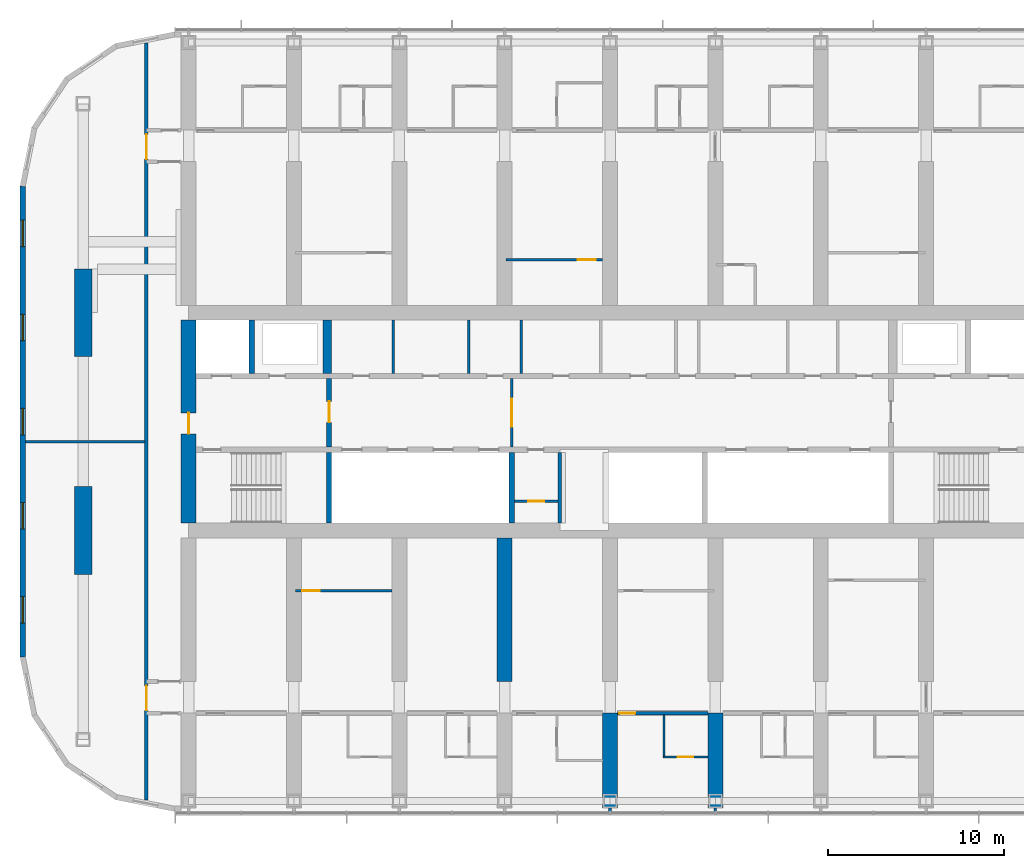
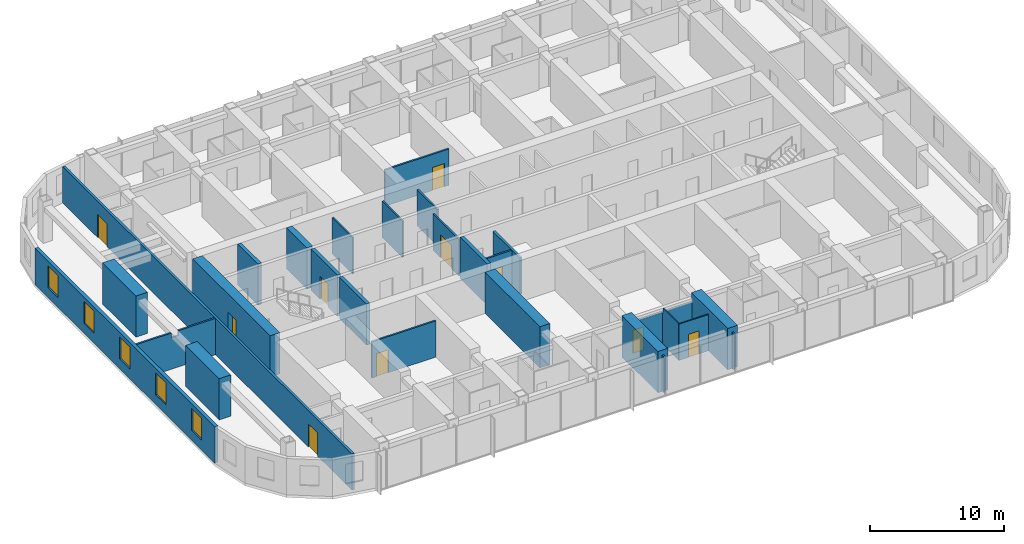
# One storey, part 11 of 22: 27 walls, 10 doors, 5 windows, 15 openings.
"""IFC4 building model written with IfcOpenShell, lengths in metres."""

from ifc_helpers import new_model, si_unit, direction, frame, frame_2d, origin, place, context, subcontext, project, spatial, polyline, rectangle, outline, extrude, material, layer, layer_set, type_object, element, fill, save


model = new_model("IFC4")

# Units and contexts
model_context = context("Model", 3, precision=1e-05, world=origin(), true_north=direction((0.0, 1.0)))
body_context = subcontext(model_context, "Body", "Model", "MODEL_VIEW")
ifc_project = project(units=[si_unit("LENGTHUNIT", "METRE"), si_unit("AREAUNIT", "SQUARE_METRE"), si_unit("VOLUMEUNIT", "CUBIC_METRE"), si_unit("PLANEANGLEUNIT", "RADIAN"), si_unit("MASSUNIT", "GRAM", prefix="KILO")], contexts=[model_context])

# Site, building, storey
site_placement = place(None, origin())
site = spatial("IfcSite", under=ifc_project, at=site_placement, CompositionType="ELEMENT")
building_placement = place(site_placement, origin())
building = spatial("IfcBuilding", under=site, at=building_placement, Name="Orbita Commons", CompositionType="ELEMENT")
storey_placement = place(building_placement, frame((0.0, 0.0, 144.85009765625)))
storey = spatial("IfcBuildingStorey", under=building, at=storey_placement, Name="L35", CompositionType="ELEMENT", Elevation=144.85009765625)

# Wall
ifc_material_1 = material(Name="Concrete C50/60", Category="concrete")
ifc_layer_1 = layer(ifc_material_1, 0.300048828125)
ifc_layer_set_1 = layer_set([ifc_layer_1], Name="Concrete C50/60")
wall_type_1 = type_object("IfcWallType", Name="Core inner wall 300 C50/60", PredefinedType="SHEAR", material=ifc_layer_set_1)
wall_1_placement = place(storey_placement, frame((26.0, 26.22509765625, 0.0), z_axis=(0.0, 0.0, 1.0), x_axis=(0.0, 1.0, 0.0)))
element("IfcWall", 1, at=wall_1_placement, inside=storey, type_object=wall_type_1, Name="Stair S1 wall L35", PredefinedType="SHEAR", context=body_context, shape_type="SweptSolid", body=[
    extrude(rectangle(XDim=4.02490234375, YDim=0.300048828125, at=frame_2d((2.012451171875, 0.0))), origin(), (0.0, 0.0, 1.0), 3.75),
])

# Wall, opening, door
wall_2_placement = place(storey_placement, frame((26.0, 30.550048828125, 0.0), z_axis=(0.0, 0.0, 1.0), x_axis=(0.0, 1.0, 0.0)))
wall_2 = element("IfcWall", 2, at=wall_2_placement, inside=storey, type_object=wall_type_1, Name="Firefighting lobby wall west L35", PredefinedType="SHEAR", context=body_context, shape_type="SweptSolid", body=[
    extrude(rectangle(XDim=3.89990234375, YDim=0.300048828125, at=frame_2d((1.949951171875, 0.0))), origin(), (0.0, 0.0, 1.0), 3.75),
])
opening_1_placement = place(wall_2_placement, frame((1.39990234375, 0.0, 0.0)))
opening_1 = element("IfcOpeningElement", 3, at=opening_1_placement, cuts=wall_2, Name="Opening D04", PredefinedType="OPENING", context=body_context, shape_type="SweptSolid", body=[
    extrude(rectangle(XDim=1.199951171875, YDim=2.10009765625, at=frame_2d((0.60009765625, 1.050048828125))), frame((0.0, 0.159912109375, 0.0), z_axis=(0.0, -1.0, 0.0), x_axis=(1.0, 0.0, 0.0)), (0.0, 0.0, 1.0), 0.320068359375),
])
ifc_material_2 = material(Name="Steel-faced fire door leaf", Category="steel")
door_type_1 = type_object("IfcDoorType", Name="Service door 20 min 1200x2100", OperationType="SINGLE_SWING_LEFT", PredefinedType="DOOR", material=ifc_material_2)
door_1_placement = place(opening_1_placement, origin())
door_1 = element("IfcDoor", 4, at=door_1_placement, inside=storey, type_object=door_type_1, Name="Lift lobby door west", OperationType="SINGLE_SWING_LEFT", OverallHeight=2.10009765625, OverallWidth=1.199951171875, PredefinedType="DOOR", context=body_context, shape_type="SweptSolid", body=[
    extrude(rectangle(XDim=1.199951171875, YDim=2.10009765625, at=frame_2d((0.60009765625, 1.050048828125))), frame((0.0, 0.02490234375, 0.0), z_axis=(0.0, -1.0, 0.0), x_axis=(1.0, 0.0, 0.0)), (0.0, 0.0, 1.0), 0.050048828125),
])
fill(opening_1, door_1)

# Walls
wall_3_placement = place(storey_placement, frame((21.60009765625, 34.75, 0.0), z_axis=(0.0, 0.0, 1.0), x_axis=(0.0, 1.0, 0.0)))
element("IfcWall", 5, at=wall_3_placement, inside=storey, type_object=wall_type_1, Name="Firefighting lift FL1 shaft wall L35", PredefinedType="SHEAR", context=body_context, shape_type="SweptSolid", body=[
    extrude(rectangle(XDim=3.02490234375, YDim=0.300048828125, at=frame_2d((1.512451171875, 0.0))), origin(), (0.0, 0.0, 1.0), 3.75),
])
wall_4_placement = place(storey_placement, frame((36.39990234375, 26.22509765625, 0.0), z_axis=(0.0, 0.0, 1.0), x_axis=(0.0, 1.0, 0.0)))
element("IfcWall", 6, at=wall_4_placement, inside=storey, type_object=wall_type_1, Name="Hoistway division wall L35", PredefinedType="SHEAR", context=body_context, shape_type="SweptSolid", body=[
    extrude(rectangle(XDim=4.02490234375, YDim=0.300048828125, at=frame_2d((2.012451171875, 0.0))), origin(), (0.0, 0.0, 1.0), 3.75),
])
ifc_material_3 = material(Name="Concrete C50/60", Category="concrete")
ifc_layer_2 = layer(ifc_material_3, 0.5)
ifc_layer_set_2 = layer_set([ifc_layer_2], Name="Concrete C50/60")
wall_type_2 = type_object("IfcWallType", Name="Core inner wall 500 C50/60", PredefinedType="SHEAR", material=ifc_layer_set_2)
wall_5_placement = place(storey_placement, frame((25.89990234375, 34.75, 0.0), z_axis=(0.0, 0.0, 1.0), x_axis=(0.0, 1.0, 0.0)))
element("IfcWall", 7, at=wall_5_placement, inside=storey, type_object=wall_type_2, Name="Riser wall west L35", PredefinedType="SHEAR", context=body_context, shape_type="SweptSolid", body=[
    extrude(rectangle(XDim=3.02490234375, YDim=0.5, at=frame_2d((1.512451171875, 0.0))), origin(), (0.0, 0.0, 1.0), 3.75),
])

# Wall, opening, door
ifc_material_4 = material(Name="Concrete blockwork", Category="masonry")
ifc_layer_3 = layer(ifc_material_4, 0.14990234375)
ifc_layer_set_3 = layer_set([ifc_layer_3], Name="Concrete blockwork")
wall_type_3 = type_object("IfcWallType", Name="Core partition 150 blockwork", PredefinedType="SOLIDWALL", material=ifc_layer_set_3)
wall_6_placement = place(storey_placement, frame((36.39990234375, 30.550048828125, 0.0), z_axis=(0.0, 0.0, 1.0), x_axis=(0.0, 1.0, 0.0)))
wall_6 = element("IfcWall", 8, at=wall_6_placement, inside=storey, type_object=wall_type_3, Name="Core partition 150 blockwork L35", PredefinedType="SOLIDWALL", context=body_context, shape_type="SweptSolid", body=[
    extrude(rectangle(XDim=3.89990234375, YDim=0.14990234375, at=frame_2d((1.949951171875, 0.0))), origin(), (0.0, 0.0, 1.0), 3.2998046875),
])
opening_2_placement = place(wall_6_placement, frame((1.14990234375, 0.0, 0.0)))
opening_2 = element("IfcOpeningElement", 9, at=opening_2_placement, cuts=wall_6, Name="Opening D10", PredefinedType="OPENING", context=body_context, shape_type="SweptSolid", body=[
    extrude(rectangle(XDim=1.60009765625, YDim=2.10009765625, at=frame_2d((0.800048828125, 1.050048828125))), frame((0.0, 0.0849609375, 0.0), z_axis=(0.0, -1.0, 0.0), x_axis=(1.0, 0.0, 0.0)), (0.0, 0.0, 1.0), 0.169921875),
])
ifc_material_5 = material(Name="Steel-faced fire door leaf", Category="steel")
door_type_2 = type_object("IfcDoorType", Name="Double corridor door 20 min 1600x2100", OperationType="DOUBLE_DOOR_SINGLE_SWING", PredefinedType="DOOR", material=ifc_material_5)
door_2_placement = place(opening_2_placement, origin())
door_2 = element("IfcDoor", 10, at=door_2_placement, inside=storey, type_object=door_type_2, Name="Lift lobby screen doors", OperationType="DOUBLE_DOOR_SINGLE_SWING", OverallHeight=2.10009765625, OverallWidth=1.60009765625, PredefinedType="DOOR", context=body_context, shape_type="SweptSolid", body=[
    extrude(rectangle(XDim=1.60009765625, YDim=2.10009765625, at=frame_2d((0.800048828125, 1.050048828125))), frame((0.0, 0.02490234375, 0.0), z_axis=(0.0, -1.0, 0.0), x_axis=(1.0, 0.0, 0.0)), (0.0, 0.0, 1.0), 0.050048828125),
])
fill(opening_2, door_2)

# Walls
for number, where, z_axis, x_axis, name in (
    (11, (29.65087890625, 34.75, 0.0), (0.0, 0.0, 1.0), (0.0, 1.0, 0.0), "Core partition 150 blockwork L35"),
    (12, (33.9462890625, 34.75, 0.0), (0.0, 0.0, 1.0), (0.0, 1.0, 0.0), "Core partition 150 blockwork L35"),
    (13, (36.9462890625, 34.75, 0.0), (0.0, 0.0, 1.0), (0.0, 1.0, 0.0), "Core partition 150 blockwork L35"),
):
    element("IfcWall", number, at=place(storey_placement, frame(where, z_axis=z_axis, x_axis=x_axis)), inside=storey, type_object=wall_type_3, Name=name, PredefinedType="SOLIDWALL", context=body_context, shape_type="SweptSolid", body=[
        extrude(rectangle(XDim=3.02490234375, YDim=0.14990234375, at=frame_2d((1.512451171875, 0.0))), origin(), (0.0, 0.0, 1.0), 3.2998046875),
    ])

# Wall, opening, door
wall_7_placement = place(storey_placement, frame((36.550048828125, 27.47509765625, 0.0), z_axis=(0.0, 0.0, 1.0), x_axis=(1.0, 0.0, 0.0)))
wall_7 = element("IfcWall", 14, at=wall_7_placement, inside=storey, type_object=wall_type_3, Name="Core partition 150 blockwork L35", PredefinedType="SOLIDWALL", context=body_context, shape_type="SweptSolid", body=[
    extrude(rectangle(XDim=2.5, YDim=0.14990234375, at=frame_2d((1.25, 0.0))), origin(), (0.0, 0.0, 1.0), 3.2998046875),
])
opening_3_placement = place(wall_7_placement, frame((0.800048828125, 0.0, 0.0)))
opening_3 = element("IfcOpeningElement", 15, at=opening_3_placement, cuts=wall_7, Name="Opening D05", PredefinedType="OPENING", context=body_context, shape_type="SweptSolid", body=[
    extrude(rectangle(XDim=0.89990234375, YDim=2.10009765625, at=frame_2d((0.449951171875, 1.050048828125))), frame((0.0, 0.0849609375, 0.0), z_axis=(0.0, -1.0, 0.0), x_axis=(1.0, 0.0, 0.0)), (0.0, 0.0, 1.0), 0.169921875),
])
ifc_material_6 = material(Name="Steel-faced fire door leaf", Category="steel")
door_type_3 = type_object("IfcDoorType", Name="Service door 20 min 900x2100", OperationType="SINGLE_SWING_LEFT", PredefinedType="DOOR", material=ifc_material_6)
door_3_placement = place(opening_3_placement, origin())
door_3 = element("IfcDoor", 16, at=door_3_placement, inside=storey, type_object=door_type_3, Name="Cupboard door off Staff WC", OperationType="SINGLE_SWING_LEFT", OverallHeight=2.10009765625, OverallWidth=0.89990234375, PredefinedType="DOOR", context=body_context, shape_type="SweptSolid", body=[
    extrude(rectangle(XDim=0.89990234375, YDim=2.10009765625, at=frame_2d((0.449951171875, 1.050048828125))), frame((0.0, 0.02490234375, 0.0), z_axis=(0.0, -1.0, 0.0), x_axis=(1.0, 0.0, 0.0)), (0.0, 0.0, 1.0), 0.050048828125),
])
fill(opening_3, door_3)

ifc_material_7 = material(Name="Concrete C50/60", Category="concrete")
ifc_layer_4 = layer(ifc_material_7, 0.85009765625)
ifc_layer_set_4 = layer_set([ifc_layer_4], Name="Concrete C50/60")
wall_type_4 = type_object("IfcWallType", Name="Core wall 850 C50/60", PredefinedType="SHEAR", material=ifc_layer_set_4)
wall_8_placement = place(storey_placement, frame((18.0, 26.22509765625, 0.0), z_axis=(0.0, 0.0, 1.0), x_axis=(0.0, 1.0, 0.0)))
wall_8 = element("IfcWall", 17, at=wall_8_placement, inside=storey, type_object=wall_type_4, Name="Core end wall west L35", PredefinedType="SHEAR", context=body_context, shape_type="SweptSolid", body=[
    extrude(rectangle(XDim=11.5498046875, YDim=0.85009765625, at=frame_2d((5.77490234375, 0.0))), origin(), (0.0, 0.0, 1.0), 3.75),
])
opening_4_placement = place(wall_8_placement, frame((5.074951171875, 0.0, 0.0)))
opening_4 = element("IfcOpeningElement", 18, at=opening_4_placement, cuts=wall_8, Name="Opening D01", PredefinedType="OPENING", context=body_context, shape_type="SweptSolid", body=[
    extrude(rectangle(XDim=1.199951171875, YDim=2.10009765625, at=frame_2d((0.60009765625, 1.050048828125))), frame((0.0, 0.43505859375, 0.0), z_axis=(0.0, -1.0, 0.0), x_axis=(1.0, 0.0, 0.0)), (0.0, 0.0, 1.0), 0.8701171875),
])
ifc_material_8 = material(Name="Steel-faced fire door leaf", Category="steel")
door_type_4 = type_object("IfcDoorType", Name="Fire door 90 min 1200x2100", OperationType="SINGLE_SWING_LEFT", PredefinedType="DOOR", material=ifc_material_8)
door_4_placement = place(opening_4_placement, origin())
door_4 = element("IfcDoor", 19, at=door_4_placement, inside=storey, type_object=door_type_4, Name="Firefighting lobby west door", OperationType="SINGLE_SWING_LEFT", OverallHeight=2.10009765625, OverallWidth=1.199951171875, PredefinedType="DOOR", context=body_context, shape_type="SweptSolid", body=[
    extrude(rectangle(XDim=1.199951171875, YDim=2.10009765625, at=frame_2d((0.60009765625, 1.050048828125))), frame((0.0, 0.02490234375, 0.0), z_axis=(0.0, -1.0, 0.0), x_axis=(1.0, 0.0, 0.0)), (0.0, 0.0, 1.0), 0.050048828125),
])
fill(opening_4, door_4)

ifc_material_9 = material(Name="Concrete blockwork", Category="masonry")
ifc_layer_5 = layer(ifc_material_9, 0.199951171875)
ifc_layer_set_5 = layer_set([ifc_layer_5], Name="Concrete blockwork")
wall_type_5 = type_object("IfcWallType", Name="Corridor wall 200 blockwork", PredefinedType="SOLIDWALL", material=ifc_layer_set_5)
wall_9_placement = place(storey_placement, frame((42.425048828125, 15.39990234375, 0.0), z_axis=(0.0, 0.0, 1.0), x_axis=(1.0, 0.0, 0.0)))
wall_9 = element("IfcWall", 20, at=wall_9_placement, inside=storey, type_object=wall_type_5, Name="Corridor wall 200 blockwork L35", PredefinedType="SOLIDWALL", context=body_context, shape_type="SweptSolid", body=[
    extrude(outline(polyline([(0.0, 0.0), (5.14990234375, 0.0), (5.14990234375, 2.89990234375), (0.0, 2.89990234375), (0.0, 0.0)])), frame((0.0, 0.10009765625, 0.0), z_axis=(0.0, -1.0, 0.0), x_axis=(1.0, 0.0, 0.0)), (0.0, 0.0, 1.0), 0.199951171875),
])
opening_5_placement = place(wall_9_placement, frame((0.10009765625, 0.0, 0.0)))
opening_5 = element("IfcOpeningElement", 21, at=opening_5_placement, cuts=wall_9, Name="Opening D11", PredefinedType="OPENING", context=body_context, shape_type="SweptSolid", body=[
    extrude(rectangle(XDim=0.89990234375, YDim=2.10009765625, at=frame_2d((0.449951171875, 1.050048828125))), frame((0.0, 0.10986328125, 0.0), z_axis=(0.0, -1.0, 0.0), x_axis=(1.0, 0.0, 0.0)), (0.0, 0.0, 1.0), 0.219970703125),
])
ifc_material_10 = material(Name="Steel-faced fire door leaf", Category="steel")
door_type_5 = type_object("IfcDoorType", Name="Corridor door 20 min 900x2100", OperationType="SINGLE_SWING_LEFT", PredefinedType="DOOR", material=ifc_material_10)
door_5_placement = place(opening_5_placement, origin())
door_5 = element("IfcDoor", 22, at=door_5_placement, inside=storey, type_object=door_type_5, Name="Twin room L35-S08 door", OperationType="SINGLE_SWING_LEFT", OverallHeight=2.10009765625, OverallWidth=0.89990234375, PredefinedType="DOOR", context=body_context, shape_type="SweptSolid", body=[
    extrude(rectangle(XDim=0.89990234375, YDim=2.10009765625, at=frame_2d((0.449951171875, 1.050048828125))), frame((0.0, 0.02490234375, 0.0), z_axis=(0.0, -1.0, 0.0), x_axis=(1.0, 0.0, 0.0)), (0.0, 0.0, 1.0), 0.050048828125),
])
fill(opening_5, door_5)

# Wall, openings, doors
wall_10_placement = place(storey_placement, frame((15.60009765625, 10.4462890625, 0.0), z_axis=(0.0, 0.0, 1.0), x_axis=(0.0, 1.0, 0.0)))
wall_10 = element("IfcWall", 23, at=wall_10_placement, inside=storey, type_object=wall_type_5, Name="Corridor wall 200 blockwork L35", PredefinedType="SOLIDWALL", context=body_context, shape_type="SweptSolid", body=[
    extrude(rectangle(XDim=43.107421875, YDim=0.199951171875, at=frame_2d((21.5537109375, 0.0))), origin(), (0.0, 0.0, 1.0), 3.2998046875),
])
opening_6_placement = place(wall_10_placement, frame((5.103759765625, 0.0, 0.0)))
opening_6 = element("IfcOpeningElement", 24, at=opening_6_placement, cuts=wall_10, Name="Opening D08", PredefinedType="OPENING", context=body_context, shape_type="SweptSolid", body=[
    extrude(rectangle(XDim=1.39990234375, YDim=2.10009765625, at=frame_2d((0.699951171875, 1.050048828125))), frame((0.0, 0.10986328125, 0.0), z_axis=(0.0, -1.0, 0.0), x_axis=(1.0, 0.0, 0.0)), (0.0, 0.0, 1.0), 0.219970703125),
])
opening_7_placement = place(wall_10_placement, frame((36.50390625, 0.0, 0.0)))
opening_7 = element("IfcOpeningElement", 25, at=opening_7_placement, cuts=wall_10, Name="Opening D08", PredefinedType="OPENING", context=body_context, shape_type="SweptSolid", body=[
    extrude(rectangle(XDim=1.39990234375, YDim=2.10009765625, at=frame_2d((0.699951171875, 1.050048828125))), frame((0.0, 0.10986328125, 0.0), z_axis=(0.0, -1.0, 0.0), x_axis=(1.0, 0.0, 0.0)), (0.0, 0.0, 1.0), 0.219970703125),
])
ifc_material_11 = material(Name="Steel-faced fire door leaf", Category="steel")
door_type_6 = type_object("IfcDoorType", Name="Double corridor door 20 min 1400x2100", OperationType="DOUBLE_DOOR_SINGLE_SWING", PredefinedType="DOOR", material=ifc_material_11)
door_6_placement = place(opening_6_placement, origin())
door_6 = element("IfcDoor", 26, at=door_6_placement, inside=storey, type_object=door_type_6, Name="Lounge doors", OperationType="DOUBLE_DOOR_SINGLE_SWING", OverallHeight=2.10009765625, OverallWidth=1.39990234375, PredefinedType="DOOR", context=body_context, shape_type="SweptSolid", body=[
    extrude(rectangle(XDim=1.39990234375, YDim=2.10009765625, at=frame_2d((0.699951171875, 1.050048828125))), frame((0.0, 0.02490234375, 0.0), z_axis=(0.0, -1.0, 0.0), x_axis=(1.0, 0.0, 0.0)), (0.0, 0.0, 1.0), 0.050048828125),
])
fill(opening_6, door_6)
door_7_placement = place(opening_7_placement, origin())
door_7 = element("IfcDoor", 27, at=door_7_placement, inside=storey, type_object=door_type_6, Name="Lounge doors", OperationType="DOUBLE_DOOR_SINGLE_SWING", OverallHeight=2.10009765625, OverallWidth=1.39990234375, PredefinedType="DOOR", context=body_context, shape_type="SweptSolid", body=[
    extrude(rectangle(XDim=1.39990234375, YDim=2.10009765625, at=frame_2d((0.699951171875, 1.050048828125))), frame((0.0, 0.02490234375, 0.0), z_axis=(0.0, -1.0, 0.0), x_axis=(1.0, 0.0, 0.0)), (0.0, 0.0, 1.0), 0.050048828125),
])
fill(opening_7, door_7)

# Walls
ifc_material_12 = material(Name="Concrete C50/60", Category="concrete")
ifc_layer_6 = layer(ifc_material_12, 0.85009765625)
ifc_layer_set_6 = layer_set([ifc_layer_6], Name="Concrete C50/60")
wall_type_6 = type_object("IfcWallType", Name="Cross wall 850 C50/60", PredefinedType="SHEAR", material=ifc_layer_set_6)
wall_11_placement = place(storey_placement, frame((36.0, 17.199951171875, 0.0), z_axis=(0.0, 0.0, 1.0), x_axis=(0.0, 1.0, 0.0)))
element("IfcWall", 28, at=wall_11_placement, inside=storey, type_object=wall_type_6, Name="Cross wall 7 south inner L35", PredefinedType="SHEAR", context=body_context, shape_type="SweptSolid", body=[
    extrude(rectangle(XDim=8.175048828125, YDim=0.85009765625, at=frame_2d((4.08740234375, 0.0))), origin(), (0.0, 0.0, 1.0), 3.75),
])
for number, where, z_axis, x_axis, name in (
    (29, (42.0, 10.0, 0.0), (0.0, 0.0, 1.0), (0.0, 1.0, 0.0), "Cross wall 8 south outer L35"),
    (30, (48.0, 10.0, 0.0), (0.0, 0.0, 1.0), (0.0, 1.0, 0.0), "Cross wall 9 south outer L35"),
):
    element("IfcWall", number, at=place(storey_placement, frame(where, z_axis=z_axis, x_axis=x_axis)), inside=storey, type_object=wall_type_6, Name=name, PredefinedType="SHEAR", context=body_context, shape_type="SweptSolid", body=[
        extrude(rectangle(XDim=5.39990234375, YDim=0.85009765625, at=frame_2d((2.699951171875, 0.0))), origin(), (0.0, 0.0, 1.0), 3.75),
    ])

# Wall, opening, door
ifc_material_13 = material(Name="Moisture-resistant plasterboard on steel studs", Category="steel")
ifc_layer_7 = layer(ifc_material_13, 0.10009765625)
ifc_layer_set_7 = layer_set([ifc_layer_7], Name="Moisture-resistant plasterboard on steel studs")
wall_type_7 = type_object("IfcWallType", Name="En-suite partition 100", PredefinedType="PARTITIONING", material=ifc_layer_set_7)
wall_12_placement = place(storey_placement, frame((47.574951171875, 12.89990234375, 0.0), z_axis=(0.0, 0.0, 1.0), x_axis=(-1.0, 0.0, 0.0)))
wall_12 = element("IfcWall", 31, at=wall_12_placement, inside=storey, type_object=wall_type_7, Name="En-suite partition 100 L35", PredefinedType="PARTITIONING", context=body_context, shape_type="SweptSolid", body=[
    extrude(rectangle(XDim=2.550048828125, YDim=0.10009765625, at=frame_2d((1.27490234375, 0.0))), origin(), (0.0, 0.0, 1.0), 3.2998046875),
])
opening_8_placement = place(wall_12_placement, frame((0.824951171875, 0.0, 0.0)))
opening_8 = element("IfcOpeningElement", 32, at=opening_8_placement, cuts=wall_12, Name="Opening D09", PredefinedType="OPENING", context=body_context, shape_type="SweptSolid", body=[
    extrude(rectangle(XDim=0.89990234375, YDim=2.10009765625, at=frame_2d((0.449951171875, 1.050048828125))), frame((0.0, 0.06005859375, 0.0), z_axis=(0.0, -1.0, 0.0), x_axis=(1.0, 0.0, 0.0)), (0.0, 0.0, 1.0), 0.1201171875),
])
ifc_material_14 = material(Name="Laminated timber door leaf", Category="wood")
door_type_7 = type_object("IfcDoorType", Name="En-suite door 900x2100", OperationType="SINGLE_SWING_RIGHT", PredefinedType="DOOR", material=ifc_material_14)
door_8_placement = place(opening_8_placement, origin())
door_8 = element("IfcDoor", 33, at=door_8_placement, inside=storey, type_object=door_type_7, Name="En-suite L35-S08 door", OperationType="SINGLE_SWING_RIGHT", OverallHeight=2.10009765625, OverallWidth=0.89990234375, PredefinedType="DOOR", context=body_context, shape_type="SweptSolid", body=[
    extrude(rectangle(XDim=0.89990234375, YDim=2.10009765625, at=frame_2d((0.449951171875, 1.050048828125))), frame((0.0, 0.02490234375, 0.0), z_axis=(0.0, -1.0, 0.0), x_axis=(1.0, 0.0, 0.0)), (0.0, 0.0, 1.0), 0.050048828125),
])
fill(opening_8, door_8)

# Walls
wall_13_placement = place(storey_placement, frame((45.074951171875, 12.949951171875, 0.0), z_axis=(0.0, 0.0, 1.0), x_axis=(0.0, 1.0, 0.0)))
element("IfcWall", 34, at=wall_13_placement, inside=storey, type_object=wall_type_7, Name="En-suite partition 100 L35", PredefinedType="PARTITIONING", context=body_context, shape_type="SweptSolid", body=[
    extrude(outline(polyline([(0.0, 0.0), (2.35009765625, 0.0), (2.35009765625, 2.89990234375), (2.302001953125, 2.89990234375), (2.300048828125, 3.2998046875), (0.0, 3.2998046875), (0.0, 0.0)])), frame((0.0, 0.050048828125, 0.0), z_axis=(0.0, -1.0, 0.0), x_axis=(1.0, 0.0, 0.0)), (0.0, 0.0, 1.0), 0.10009765625),
])
ifc_material_15 = material(Name="Concrete C50/60", Category="concrete")
ifc_layer_8 = layer(ifc_material_15, 1.0)
ifc_layer_set_8 = layer_set([ifc_layer_8], Name="Concrete C50/60")
wall_type_8 = type_object("IfcWallType", Name="End pier 1000x5000 C50/60", PredefinedType="SHEAR", material=ifc_layer_set_8)
for number, where, z_axis, x_axis, name in (
    (35, (12.0, 23.300048828125, 0.0), (0.0, 0.0, 1.0), (0.0, 1.0, 0.0), "End pier 3/C L35"),
    (36, (12.0, 35.699951171875, 0.0), (0.0, 0.0, 1.0), (0.0, 1.0, 0.0), "End pier 3/D L35"),
):
    element("IfcWall", number, at=place(storey_placement, frame(where, z_axis=z_axis, x_axis=x_axis)), inside=storey, type_object=wall_type_8, Name=name, PredefinedType="SHEAR", context=body_context, shape_type="SweptSolid", body=[
        extrude(rectangle(XDim=5.0, YDim=1.0, at=frame_2d((2.5, 0.0))), origin(), (0.0, 0.0, 1.0), 3.75),
    ])

# Wall, opening, door
ifc_material_16 = material(Name="Gypsum plasterboard on steel studs", Category="steel")
ifc_layer_9 = layer(ifc_material_16, 0.14990234375)
ifc_layer_set_9 = layer_set([ifc_layer_9], Name="Gypsum plasterboard on steel studs")
wall_type_9 = type_object("IfcWallType", Name="Partition 150 plasterboard", PredefinedType="PARTITIONING", material=ifc_layer_set_9)
wall_14_placement = place(storey_placement, frame((24.074951171875, 22.375, 0.0), z_axis=(0.0, 0.0, 1.0), x_axis=(1.0, 0.0, 0.0)))
wall_14 = element("IfcWall", 37, at=wall_14_placement, inside=storey, type_object=wall_type_9, Name="Partition 150 plasterboard L35", PredefinedType="PARTITIONING", context=body_context, shape_type="SweptSolid", body=[
    extrude(rectangle(XDim=5.5, YDim=0.14990234375, at=frame_2d((2.75, 0.0))), origin(), (0.0, 0.0, 1.0), 3.2998046875),
])
opening_9_placement = place(wall_14_placement, frame((0.39990234375, 0.0, 0.0)))
opening_9 = element("IfcOpeningElement", 38, at=opening_9_placement, cuts=wall_14, Name="Opening D17", PredefinedType="OPENING", context=body_context, shape_type="SweptSolid", body=[
    extrude(rectangle(XDim=1.0, YDim=2.10009765625, at=frame_2d((0.5, 1.050048828125))), frame((0.0, 0.0849609375, 0.0), z_axis=(0.0, -1.0, 0.0), x_axis=(1.0, 0.0, 0.0)), (0.0, 0.0, 1.0), 0.169921875),
])
ifc_material_17 = material(Name="Steel-faced fire door leaf", Category="steel")
door_type_8 = type_object("IfcDoorType", Name="Shaft access door 90 min 1000x2100", OperationType="SINGLE_SWING_LEFT", PredefinedType="DOOR", material=ifc_material_17)
door_9_placement = place(opening_9_placement, origin())
door_9 = element("IfcDoor", 39, at=door_9_placement, inside=storey, type_object=door_type_8, Name="Ventilation plant room south L35-BDS24 door", OperationType="SINGLE_SWING_LEFT", OverallHeight=2.10009765625, OverallWidth=1.0, PredefinedType="DOOR", context=body_context, shape_type="SweptSolid", body=[
    extrude(rectangle(XDim=1.0, YDim=2.10009765625, at=frame_2d((0.5, 1.050048828125))), frame((0.0, 0.02490234375, 0.0), z_axis=(0.0, -1.0, 0.0), x_axis=(1.0, 0.0, 0.0)), (0.0, 0.0, 1.0), 0.050048828125),
])
fill(opening_9, door_9)

wall_15_placement = place(storey_placement, frame((41.574951171875, 41.22509765625, 0.0), z_axis=(0.0, 0.0, 1.0), x_axis=(-1.0, 0.0, 0.0)))
wall_15 = element("IfcWall", 40, at=wall_15_placement, inside=storey, type_object=wall_type_9, Name="Partition 150 plasterboard L35", PredefinedType="PARTITIONING", context=body_context, shape_type="SweptSolid", body=[
    extrude(rectangle(XDim=5.5, YDim=0.14990234375, at=frame_2d((2.75, 0.0))), origin(), (0.0, 0.0, 1.0), 3.2998046875),
])
opening_10_placement = place(wall_15_placement, frame((0.39990234375, 0.0, 0.0)))
opening_10 = element("IfcOpeningElement", 41, at=opening_10_placement, cuts=wall_15, Name="Opening D17", PredefinedType="OPENING", context=body_context, shape_type="SweptSolid", body=[
    extrude(rectangle(XDim=1.0, YDim=2.10009765625, at=frame_2d((0.5, 1.050048828125))), frame((0.0, 0.0849609375, 0.0), z_axis=(0.0, -1.0, 0.0), x_axis=(1.0, 0.0, 0.0)), (0.0, 0.0, 1.0), 0.169921875),
])
door_10_placement = place(opening_10_placement, origin())
door_10 = element("IfcDoor", 42, at=door_10_placement, inside=storey, type_object=door_type_8, Name="Electrical and data room L35-BDN36 door", OperationType="SINGLE_SWING_LEFT", OverallHeight=2.10009765625, OverallWidth=1.0, PredefinedType="DOOR", context=body_context, shape_type="SweptSolid", body=[
    extrude(rectangle(XDim=1.0, YDim=2.10009765625, at=frame_2d((0.5, 1.050048828125))), frame((0.0, 0.02490234375, 0.0), z_axis=(0.0, -1.0, 0.0), x_axis=(1.0, 0.0, 0.0)), (0.0, 0.0, 1.0), 0.050048828125),
])
fill(opening_10, door_10)

# Walls
wall_16_placement = place(storey_placement, frame((8.705078125, 30.85009765625, 0.0), z_axis=(0.0, 0.0, 1.0), x_axis=(1.0, 0.0, 0.0)))
element("IfcWall", 43, at=wall_16_placement, inside=storey, type_object=wall_type_9, Name="Partition 150 plasterboard L35", PredefinedType="PARTITIONING", context=body_context, shape_type="SweptSolid", body=[
    extrude(outline(polyline([(0.0, 0.0), (6.81982421875, 0.0), (6.820068359375, 3.2998046875), (3.596923828125, 3.2998046875), (3.594970703125, 2.849853515625), (2.9970703125, 2.849853515625), (2.9951171875, 3.2998046875), (0.0, 3.2998046875), (0.0, 0.0)])), frame((0.0, 0.074951171875, 0.0), z_axis=(0.0, -1.0, 0.0), x_axis=(1.0, 0.0, 0.0)), (0.0, 0.0, 1.0), 0.14990234375),
])
for number, where, z_axis, x_axis, name in (
    (44, (42.0, 10.0, 0.0), (0.0, 0.0, 1.0), (0.0, -1.0, 0.0), "Partition 150 plasterboard L35"),
    (45, (48.0, 10.0, 0.0), (0.0, 0.0, 1.0), (0.0, -1.0, 0.0), "Partition 150 plasterboard L35"),
):
    element("IfcWall", number, at=place(storey_placement, frame(where, z_axis=z_axis, x_axis=x_axis)), inside=storey, type_object=wall_type_9, Name=name, PredefinedType="PARTITIONING", context=body_context, shape_type="SweptSolid", body=[
        extrude(rectangle(XDim=0.18994140625, YDim=0.14990234375, at=frame_2d((0.094970703125, 0.0))), origin(), (0.0, 0.0, 1.0), 3.2998046875),
    ])

# Wall, openings, windows
ifc_material_18 = material(Name="Precast concrete C40/50, white board-marked finish", Category="concrete")
ifc_layer_10 = layer(ifc_material_18, 0.300048828125)
ifc_layer_set_10 = layer_set([ifc_layer_10], Name="Precast concrete C40/50, white board-marked finish")
wall_type_10 = type_object("IfcWallType", Name="Precast concrete end shield 300", PredefinedType="SOLIDWALL", material=ifc_layer_set_10)
wall_17_placement = place(storey_placement, frame((8.550048828125, 45.39990234375, 0.0), z_axis=(0.0, 0.0, 1.0), x_axis=(0.0, -1.0, 0.0)))
wall_17 = element("IfcWall", 46, at=wall_17_placement, inside=storey, type_object=wall_type_10, Name="End shield W L35", PredefinedType="SOLIDWALL", context=body_context, shape_type="SweptSolid", body=[
    extrude(outline(polyline([(-0.014892578125, -0.14990234375), (26.814697265625, -0.14990234375), (26.784912109375, 0.14990234375), (0.014892578125, 0.14990234375), (-0.014892578125, -0.14990234375)])), origin(), (0.0, 0.0, 1.0), 3.2998046875),
])
opening_11_placement = place(wall_17_placement, frame((1.929931640625, 0.0, 0.89990234375)))
opening_11 = element("IfcOpeningElement", 47, at=opening_11_placement, cuts=wall_17, Name="Opening W01", PredefinedType="OPENING", context=body_context, shape_type="SweptSolid", body=[
    extrude(rectangle(XDim=1.5, YDim=2.0, at=frame_2d((0.75, 1.0))), frame((0.0, 0.159912109375, 0.0), z_axis=(0.0, -1.0, 0.0), x_axis=(1.0, 0.0, 0.0)), (0.0, 0.0, 1.0), 0.320068359375),
])
opening_12_placement = place(wall_17_placement, frame((7.2900390625, 0.0, 0.89990234375)))
opening_12 = element("IfcOpeningElement", 48, at=opening_12_placement, cuts=wall_17, Name="Opening W01", PredefinedType="OPENING", context=body_context, shape_type="SweptSolid", body=[
    extrude(rectangle(XDim=1.5, YDim=2.0, at=frame_2d((0.75, 1.0))), frame((0.0, 0.159912109375, 0.0), z_axis=(0.0, -1.0, 0.0), x_axis=(1.0, 0.0, 0.0)), (0.0, 0.0, 1.0), 0.320068359375),
])
opening_13_placement = place(wall_17_placement, frame((12.64990234375, 0.0, 0.89990234375)))
opening_13 = element("IfcOpeningElement", 49, at=opening_13_placement, cuts=wall_17, Name="Opening W01", PredefinedType="OPENING", context=body_context, shape_type="SweptSolid", body=[
    extrude(rectangle(XDim=1.5, YDim=2.0, at=frame_2d((0.75, 1.0))), frame((0.0, 0.159912109375, 0.0), z_axis=(0.0, -1.0, 0.0), x_axis=(1.0, 0.0, 0.0)), (0.0, 0.0, 1.0), 0.320068359375),
])
opening_14_placement = place(wall_17_placement, frame((18.010009765625, 0.0, 0.89990234375)))
opening_14 = element("IfcOpeningElement", 50, at=opening_14_placement, cuts=wall_17, Name="Opening W01", PredefinedType="OPENING", context=body_context, shape_type="SweptSolid", body=[
    extrude(rectangle(XDim=1.5, YDim=2.0, at=frame_2d((0.75, 1.0))), frame((0.0, 0.159912109375, 0.0), z_axis=(0.0, -1.0, 0.0), x_axis=(1.0, 0.0, 0.0)), (0.0, 0.0, 1.0), 0.320068359375),
])
opening_15_placement = place(wall_17_placement, frame((23.3701171875, 0.0, 0.89990234375)))
opening_15 = element("IfcOpeningElement", 51, at=opening_15_placement, cuts=wall_17, Name="Opening W01", PredefinedType="OPENING", context=body_context, shape_type="SweptSolid", body=[
    extrude(rectangle(XDim=1.5, YDim=2.0, at=frame_2d((0.75, 1.0))), frame((0.0, 0.159912109375, 0.0), z_axis=(0.0, -1.0, 0.0), x_axis=(1.0, 0.0, 0.0)), (0.0, 0.0, 1.0), 0.320068359375),
])
ifc_material_19 = material(Name="Aluminium frame, clear double glazing", Category="aluminium")
window_type = type_object("IfcWindowType", Name="Deep-set window 1500x2000", PartitioningType="SINGLE_PANEL", PredefinedType="WINDOW", material=ifc_material_19)
window_1_placement = place(opening_11_placement, origin())
window_1 = element("IfcWindow", 52, at=window_1_placement, inside=storey, type_object=window_type, Name="Window L35-W 1", OverallHeight=2.0, OverallWidth=1.5, PartitioningType="SINGLE_PANEL", PredefinedType="WINDOW", context=body_context, shape_type="SweptSolid", body=[
    extrude(rectangle(XDim=1.5, YDim=2.0, at=frame_2d((0.75, 1.0))), frame((0.0, 0.030029296875, 0.0), z_axis=(0.0, -1.0, 0.0), x_axis=(1.0, 0.0, 0.0)), (0.0, 0.0, 1.0), 0.06005859375),
])
fill(opening_11, window_1)
window_2_placement = place(opening_12_placement, origin())
window_2 = element("IfcWindow", 53, at=window_2_placement, inside=storey, type_object=window_type, Name="Window L35-W 2", OverallHeight=2.0, OverallWidth=1.5, PartitioningType="SINGLE_PANEL", PredefinedType="WINDOW", context=body_context, shape_type="SweptSolid", body=[
    extrude(rectangle(XDim=1.5, YDim=2.0, at=frame_2d((0.75, 1.0))), frame((0.0, 0.030029296875, 0.0), z_axis=(0.0, -1.0, 0.0), x_axis=(1.0, 0.0, 0.0)), (0.0, 0.0, 1.0), 0.06005859375),
])
fill(opening_12, window_2)
window_3_placement = place(opening_13_placement, origin())
window_3 = element("IfcWindow", 54, at=window_3_placement, inside=storey, type_object=window_type, Name="Window L35-W 3", OverallHeight=2.0, OverallWidth=1.5, PartitioningType="SINGLE_PANEL", PredefinedType="WINDOW", context=body_context, shape_type="SweptSolid", body=[
    extrude(rectangle(XDim=1.5, YDim=2.0, at=frame_2d((0.75, 1.0))), frame((0.0, 0.030029296875, 0.0), z_axis=(0.0, -1.0, 0.0), x_axis=(1.0, 0.0, 0.0)), (0.0, 0.0, 1.0), 0.06005859375),
])
fill(opening_13, window_3)
window_4_placement = place(opening_14_placement, origin())
window_4 = element("IfcWindow", 55, at=window_4_placement, inside=storey, type_object=window_type, Name="Window L35-W 4", OverallHeight=2.0, OverallWidth=1.5, PartitioningType="SINGLE_PANEL", PredefinedType="WINDOW", context=body_context, shape_type="SweptSolid", body=[
    extrude(rectangle(XDim=1.5, YDim=2.0, at=frame_2d((0.75, 1.0))), frame((0.0, 0.030029296875, 0.0), z_axis=(0.0, -1.0, 0.0), x_axis=(1.0, 0.0, 0.0)), (0.0, 0.0, 1.0), 0.06005859375),
])
fill(opening_14, window_4)
window_5_placement = place(opening_15_placement, origin())
window_5 = element("IfcWindow", 56, at=window_5_placement, inside=storey, type_object=window_type, Name="Window L35-W 5", OverallHeight=2.0, OverallWidth=1.5, PartitioningType="SINGLE_PANEL", PredefinedType="WINDOW", context=body_context, shape_type="SweptSolid", body=[
    extrude(rectangle(XDim=1.5, YDim=2.0, at=frame_2d((0.75, 1.0))), frame((0.0, 0.030029296875, 0.0), z_axis=(0.0, -1.0, 0.0), x_axis=(1.0, 0.0, 0.0)), (0.0, 0.0, 1.0), 0.06005859375),
])
fill(opening_15, window_5)

# Wall
ifc_material_20 = material(Name="Concrete blockwork, fully filled", Category="masonry")
ifc_layer_11 = layer(ifc_material_20, 0.199951171875)
ifc_layer_set_11 = layer_set([ifc_layer_11], Name="Concrete blockwork, fully filled")
wall_type_11 = type_object("IfcWallType", Name="Shaft partition 200 blockwork", PredefinedType="SOLIDWALL", material=ifc_layer_set_11)
wall_18_placement = place(storey_placement, frame((39.14990234375, 26.22509765625, 0.0), z_axis=(0.0, 0.0, 1.0), x_axis=(0.0, 1.0, 0.0)))
element("IfcWall", 57, at=wall_18_placement, inside=storey, type_object=wall_type_11, Name="Shaft partition 200 blockwork L35", PredefinedType="SOLIDWALL", context=body_context, shape_type="SweptSolid", body=[
    extrude(rectangle(XDim=4.02490234375, YDim=0.199951171875, at=frame_2d((2.012451171875, 0.0))), origin(), (0.0, 0.0, 1.0), 3.2998046875),
])

save(model, "model.ifc")
